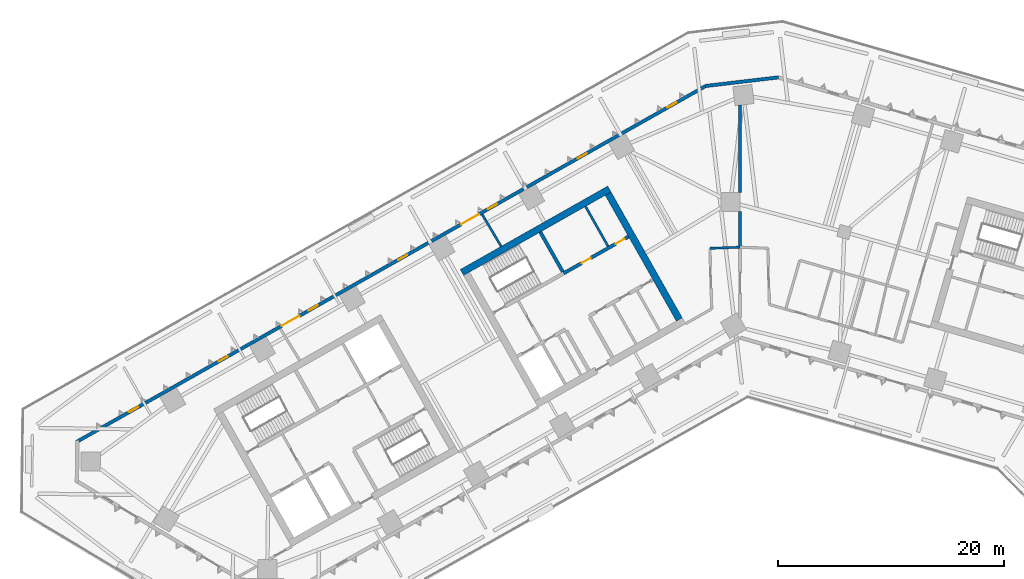
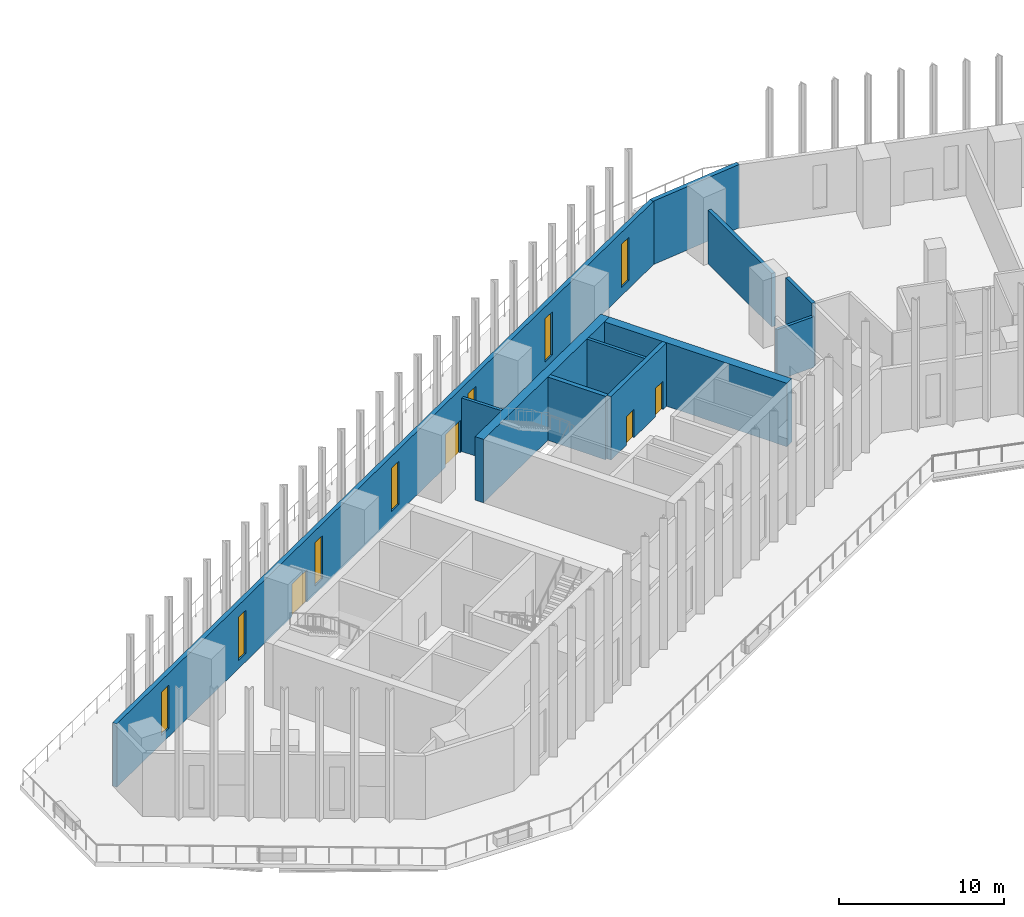
# One storey, part 7 of 17: 11 walls, 7 windows, 4 doors, 11 openings.
"""IFC4 building model written with IfcOpenShell, lengths in metres."""

from ifc_helpers import new_model, si_unit, direction, frame, frame_2d, origin, place, context, subcontext, project, spatial, rectangle, extrude, material, layer, layer_set, type_object, element, fill, save


model = new_model("IFC4")

# Units and contexts
model_context = context("Model", 3, precision=1e-05, world=origin(), true_north=direction((0.0, 1.0)))
body_context = subcontext(model_context, "Body", "Model", "MODEL_VIEW")
ifc_project = project(units=[si_unit("LENGTHUNIT", "METRE"), si_unit("AREAUNIT", "SQUARE_METRE"), si_unit("VOLUMEUNIT", "CUBIC_METRE"), si_unit("PLANEANGLEUNIT", "RADIAN"), si_unit("MASSUNIT", "GRAM", prefix="KILO")], contexts=[model_context])

# Site, building, storey
site_placement = place(None, origin())
site = spatial("IfcSite", under=ifc_project, at=site_placement, CompositionType="ELEMENT")
building_placement = place(site_placement, origin())
building = spatial("IfcBuilding", under=site, at=building_placement, Name="Binnacle Exchange Tower", CompositionType="ELEMENT")
storey_placement = place(building_placement, frame((0.0, 0.0, 26.5)))
storey = spatial("IfcBuildingStorey", under=building, at=storey_placement, Name="L05", CompositionType="ELEMENT", Elevation=26.5)

# Wall
ifc_material_1 = material(Name="Gypsum partition fire rated")
ifc_layer_1 = layer(ifc_material_1, 0.199951171875)
ifc_layer_set_1 = layer_set([ifc_layer_1], Name="Core partition 200")
wall_type_1 = type_object("IfcWallType", Name="Core partition 200", PredefinedType="PARTITIONING", material=ifc_layer_set_1)
wall_1_placement = place(storey_placement, frame((-13.682861328125, 59.612060546875, 0.0), z_axis=(0.0, 0.0, 1.0), x_axis=(0.49241474071, -0.870360685654, 0.0)))
element("IfcWall", 1, at=wall_1_placement, inside=storey, type_object=wall_type_1, Name="Core wall CRWC20", PredefinedType="PARTITIONING", context=body_context, shape_type="SweptSolid", body=[
    extrude(rectangle(XDim=4.05029296875, YDim=0.199951171875, at=frame_2d((2.025146484375, 0.0))), origin(), (0.0, 0.0, 1.0), 4.679931640625),
])

# Wall, openings, doors
ifc_material_2 = material(Name="Concrete C70/85", Category="concrete")
ifc_layer_2 = layer(ifc_material_2, 0.300048828125)
ifc_layer_set_2 = layer_set([ifc_layer_2], Name="Core wall - front 300")
wall_type_2 = type_object("IfcWallType", Name="Core wall - front 300", PredefinedType="SOLIDWALL", material=ifc_layer_set_2)
wall_2_placement = place(storey_placement, frame((-15.6181640625, 53.69140625, 0.0), z_axis=(0.0, 0.0, 1.0), x_axis=(0.870356769198, 0.492421663121, 0.0)))
wall_2 = element("IfcWall", 2, at=wall_2_placement, inside=storey, type_object=wall_type_2, Name="Core wall CRWC5", PredefinedType="SOLIDWALL", context=body_context, shape_type="SweptSolid", body=[
    extrude(rectangle(XDim=6.60009765625, YDim=0.300048828125, at=frame_2d((3.300048828125, 0.0))), origin(), (0.0, 0.0, 1.0), 4.679931640625),
])
opening_1_placement = place(wall_2_placement, frame((1.85009765625, 0.0, 0.0)))
opening_1 = element("IfcOpeningElement", 3, at=opening_1_placement, cuts=wall_2, Name="Opening DC10", PredefinedType="OPENING", context=body_context, shape_type="SweptSolid", body=[
    extrude(rectangle(XDim=0.89990234375, YDim=2.10009765625, at=frame_2d((0.449951171875, 1.050048828125))), frame((0.0, 0.159912109375, 0.0), z_axis=(0.0, -1.0, 0.0), x_axis=(1.0, 0.0, 0.0)), (0.0, 0.0, 1.0), 0.320068359375),
])
opening_2_placement = place(wall_2_placement, frame((5.300048828125, 0.0, 0.0)))
opening_2 = element("IfcOpeningElement", 4, at=opening_2_placement, cuts=wall_2, Name="Opening DC11", PredefinedType="OPENING", context=body_context, shape_type="SweptSolid", body=[
    extrude(rectangle(XDim=0.89990234375, YDim=2.10009765625, at=frame_2d((0.449951171875, 1.050048828125))), frame((0.0, 0.159912109375, 0.0), z_axis=(0.0, -1.0, 0.0), x_axis=(1.0, 0.0, 0.0)), (0.0, 0.0, 1.0), 0.320068359375),
])
ifc_material_3 = material(Name="Steel door leaf", Category="steel")
door_type_1 = type_object("IfcDoorType", Name="Fire door 900", OperationType="NOTDEFINED", PredefinedType="DOOR", material=ifc_material_3)
door_1_placement = place(opening_1_placement, origin())
door_1 = element("IfcDoor", 5, at=door_1_placement, inside=storey, type_object=door_type_1, Name="Core room door EQUIPMENT STORE", OperationType="SINGLE_SWING_LEFT", OverallHeight=2.10009765625, OverallWidth=0.89990234375, PredefinedType="DOOR", context=body_context, shape_type="SweptSolid", body=[
    extrude(rectangle(XDim=0.89990234375, YDim=2.10009765625, at=frame_2d((0.449951171875, 1.050048828125))), frame((0.0, 0.02490234375, 0.0), z_axis=(0.0, -1.0, 0.0), x_axis=(1.0, 0.0, 0.0)), (0.0, 0.0, 1.0), 0.050048828125),
])
fill(opening_1, door_1)
door_2_placement = place(opening_2_placement, origin())
door_2 = element("IfcDoor", 6, at=door_2_placement, inside=storey, type_object=door_type_1, Name="Core room door UPS CUPBOARD", OperationType="SINGLE_SWING_RIGHT", OverallHeight=2.10009765625, OverallWidth=0.89990234375, PredefinedType="DOOR", context=body_context, shape_type="SweptSolid", body=[
    extrude(rectangle(XDim=0.89990234375, YDim=2.10009765625, at=frame_2d((0.449951171875, 1.050048828125))), frame((0.0, 0.02490234375, 0.0), z_axis=(0.0, -1.0, 0.0), x_axis=(1.0, 0.0, 0.0)), (0.0, 0.0, 1.0), 0.050048828125),
])
fill(opening_2, door_2)

# Walls
ifc_layer_3 = layer(ifc_material_2, 0.60009765625)
ifc_layer_set_3 = layer_set([ifc_layer_3], Name="Core wall - outer 600")
wall_type_3 = type_object("IfcWallType", Name="Core wall - outer 600", PredefinedType="SOLIDWALL", material=ifc_layer_set_3)
wall_3_placement = place(storey_placement, frame((-24.622802734375, 53.76708984375, 0.0), z_axis=(0.0, 0.0, 1.0), x_axis=(0.870356627484, 0.492421913601, 0.0)))
element("IfcWall", 7, at=wall_3_placement, inside=storey, type_object=wall_type_3, Name="Core wall CRWC6", PredefinedType="SOLIDWALL", context=body_context, shape_type="SweptSolid", body=[
    extrude(rectangle(XDim=14.999755859375, YDim=0.60009765625, at=frame_2d((7.5, 0.0))), origin(), (0.0, 0.0, 1.0), 4.679931640625),
])
wall_4_placement = place(storey_placement, frame((-11.680908203125, 60.744384765625, 0.0), z_axis=(0.0, 0.0, 1.0), x_axis=(0.492426772896, -0.870353878221, 0.0)))
element("IfcWall", 8, at=wall_4_placement, inside=storey, type_object=wall_type_3, Name="Core wall CRWC24", PredefinedType="SOLIDWALL", context=body_context, shape_type="SweptSolid", body=[
    extrude(rectangle(XDim=12.7998046875, YDim=0.60009765625, at=frame_2d((6.39990234375, 0.0))), origin(), (0.0, 0.0, 1.0), 4.679931640625),
])
ifc_layer_4 = layer(ifc_material_2, 0.300048828125)
ifc_layer_set_4 = layer_set([ifc_layer_4], Name="Core wall - stair 300")
wall_type_4 = type_object("IfcWallType", Name="Core wall - stair 300", PredefinedType="SOLIDWALL", material=ifc_layer_set_4)
wall_5_placement = place(storey_placement, frame((-17.686279296875, 57.3466796875, 0.0), z_axis=(0.0, 0.0, 1.0), x_axis=(0.492420746998, -0.870357287513, 0.0)))
element("IfcWall", 9, at=wall_5_placement, inside=storey, type_object=wall_type_4, Name="Core wall CRWC14", PredefinedType="SOLIDWALL", context=body_context, shape_type="SweptSolid", body=[
    extrude(rectangle(XDim=4.049560546875, YDim=0.300048828125, at=frame_2d((2.02490234375, 0.0))), origin(), (0.0, 0.0, 1.0), 4.679931640625),
])
ifc_material_4 = material(Name="Bronze aluminium cladding", Category="aluminium")
ifc_layer_5 = layer(ifc_material_4, 0.300048828125)
ifc_layer_set_5 = layer_set([ifc_layer_5], Name="External wall - spandrel 300")
wall_type_5 = type_object("IfcWallType", Name="External wall - spandrel 300", PredefinedType="STANDARD", material=ifc_layer_set_5)
wall_6_placement = place(storey_placement, frame((-3.076171875, 70.27294921875, 0.0), z_axis=(0.0, 0.0, 1.0), x_axis=(0.993067743007, 0.117543429416, 0.0)))
element("IfcWall", 10, at=wall_6_placement, inside=storey, type_object=wall_type_5, Name="External wall EW-F02 L05", PredefinedType="STANDARD", context=body_context, shape_type="SweptSolid", body=[
    extrude(rectangle(XDim=6.515625, YDim=0.300048828125, at=frame_2d((3.2578125, 0.0))), origin(), (0.0, 0.0, 1.0), 4.679931640625),
])

# Wall, openings, doors, windows
wall_7_placement = place(storey_placement, frame((-58.744873046875, 38.763671875, 0.0), z_axis=(0.0, 0.0, 1.0), x_axis=(0.870355811726, 0.492423355453, 0.0)))
wall_7 = element("IfcWall", 11, at=wall_7_placement, inside=storey, type_object=wall_type_5, Name="External wall EW-F03 L05", PredefinedType="STANDARD", context=body_context, shape_type="SweptSolid", body=[
    extrude(rectangle(XDim=64.025390625, YDim=0.300048828125, at=frame_2d((32.0126953125, 0.0))), origin(), (0.0, 0.0, 1.0), 4.679931640625),
])
opening_3_placement = place(wall_7_placement, frame((60.12158203125, 0.0, 0.60009765625)))
opening_3 = element("IfcOpeningElement", 12, at=opening_3_placement, cuts=wall_7, Name="Opening WS1", PredefinedType="OPENING", context=body_context, shape_type="SweptSolid", body=[
    extrude(rectangle(XDim=0.89990234375, YDim=3.199951171875, at=frame_2d((0.449951171875, 1.60009765625))), frame((0.0, 0.159912109375, 0.0), z_axis=(0.0, -1.0, 0.0), x_axis=(1.0, 0.0, 0.0)), (0.0, 0.0, 1.0), 0.320068359375),
])
opening_4_placement = place(wall_7_placement, frame((50.99169921875, 0.0, 0.60009765625)))
opening_4 = element("IfcOpeningElement", 13, at=opening_4_placement, cuts=wall_7, Name="Opening WS1", PredefinedType="OPENING", context=body_context, shape_type="SweptSolid", body=[
    extrude(rectangle(XDim=0.89990234375, YDim=3.199951171875, at=frame_2d((0.449951171875, 1.60009765625))), frame((0.0, 0.159912109375, 0.0), z_axis=(0.0, -1.0, 0.0), x_axis=(1.0, 0.0, 0.0)), (0.0, 0.0, 1.0), 0.320068359375),
])
opening_5_placement = place(wall_7_placement, frame((41.86181640625, 0.0, 0.60009765625)))
opening_5 = element("IfcOpeningElement", 14, at=opening_5_placement, cuts=wall_7, Name="Opening WS1", PredefinedType="OPENING", context=body_context, shape_type="SweptSolid", body=[
    extrude(rectangle(XDim=0.89990234375, YDim=3.199951171875, at=frame_2d((0.449951171875, 1.60009765625))), frame((0.0, 0.159912109375, 0.0), z_axis=(0.0, -1.0, 0.0), x_axis=(1.0, 0.0, 0.0)), (0.0, 0.0, 1.0), 0.320068359375),
])
opening_6_placement = place(wall_7_placement, frame((39.12939453125, 0.0, 0.0)))
opening_6 = element("IfcOpeningElement", 15, at=opening_6_placement, cuts=wall_7, Name="Opening D-FS05-03", PredefinedType="OPENING", context=body_context, shape_type="SweptSolid", body=[
    extrude(rectangle(XDim=1.800048828125, YDim=2.39990234375, at=frame_2d((0.89990234375, 1.199951171875))), frame((0.0, 0.159912109375, 0.0), z_axis=(0.0, -1.0, 0.0), x_axis=(1.0, 0.0, 0.0)), (0.0, 0.0, 1.0), 0.320068359375),
])
opening_7_placement = place(wall_7_placement, frame((32.73193359375, 0.0, 0.60009765625)))
opening_7 = element("IfcOpeningElement", 16, at=opening_7_placement, cuts=wall_7, Name="Opening WS1", PredefinedType="OPENING", context=body_context, shape_type="SweptSolid", body=[
    extrude(rectangle(XDim=0.89990234375, YDim=3.199951171875, at=frame_2d((0.449951171875, 1.60009765625))), frame((0.0, 0.159912109375, 0.0), z_axis=(0.0, -1.0, 0.0), x_axis=(1.0, 0.0, 0.0)), (0.0, 0.0, 1.0), 0.320068359375),
])
opening_8_placement = place(wall_7_placement, frame((23.60205078125, 0.0, 0.60009765625)))
opening_8 = element("IfcOpeningElement", 17, at=opening_8_placement, cuts=wall_7, Name="Opening WS1", PredefinedType="OPENING", context=body_context, shape_type="SweptSolid", body=[
    extrude(rectangle(XDim=0.89990234375, YDim=3.199951171875, at=frame_2d((0.449951171875, 1.60009765625))), frame((0.0, 0.159912109375, 0.0), z_axis=(0.0, -1.0, 0.0), x_axis=(1.0, 0.0, 0.0)), (0.0, 0.0, 1.0), 0.320068359375),
])
opening_9_placement = place(wall_7_placement, frame((20.86962890625, 0.0, 0.0)))
opening_9 = element("IfcOpeningElement", 18, at=opening_9_placement, cuts=wall_7, Name="Opening D-FS05-04", PredefinedType="OPENING", context=body_context, shape_type="SweptSolid", body=[
    extrude(rectangle(XDim=1.800048828125, YDim=2.39990234375, at=frame_2d((0.89990234375, 1.199951171875))), frame((0.0, 0.159912109375, 0.0), z_axis=(0.0, -1.0, 0.0), x_axis=(1.0, 0.0, 0.0)), (0.0, 0.0, 1.0), 0.320068359375),
])
opening_10_placement = place(wall_7_placement, frame((14.47216796875, 0.0, 0.60009765625)))
opening_10 = element("IfcOpeningElement", 19, at=opening_10_placement, cuts=wall_7, Name="Opening WS1", PredefinedType="OPENING", context=body_context, shape_type="SweptSolid", body=[
    extrude(rectangle(XDim=0.89990234375, YDim=3.199951171875, at=frame_2d((0.449951171875, 1.60009765625))), frame((0.0, 0.159912109375, 0.0), z_axis=(0.0, -1.0, 0.0), x_axis=(1.0, 0.0, 0.0)), (0.0, 0.0, 1.0), 0.320068359375),
])
opening_11_placement = place(wall_7_placement, frame((5.34228515625, 0.0, 0.60009765625)))
opening_11 = element("IfcOpeningElement", 20, at=opening_11_placement, cuts=wall_7, Name="Opening WS1", PredefinedType="OPENING", context=body_context, shape_type="SweptSolid", body=[
    extrude(rectangle(XDim=0.89990234375, YDim=3.199951171875, at=frame_2d((0.449951171875, 1.60009765625))), frame((0.0, 0.159912109375, 0.0), z_axis=(0.0, -1.0, 0.0), x_axis=(1.0, 0.0, 0.0)), (0.0, 0.0, 1.0), 0.320068359375),
])
ifc_material_5 = material(Name="Bronze anodised aluminium frame", Category="aluminium")
door_type_2 = type_object("IfcDoorType", Name="DT DOOR 1800x2400", OperationType="DOUBLE_DOOR_SINGLE_SWING", PredefinedType="DOOR", material=ifc_material_5)
door_3_placement = place(opening_6_placement, origin())
door_3 = element("IfcDoor", 21, at=door_3_placement, inside=storey, type_object=door_type_2, Name="Door D-FS05-03 L05", OperationType="DOUBLE_DOOR_SINGLE_SWING", OverallHeight=2.39990234375, OverallWidth=1.800048828125, PredefinedType="DOOR", context=body_context, shape_type="SweptSolid", body=[
    extrude(rectangle(XDim=1.800048828125, YDim=2.39990234375, at=frame_2d((0.89990234375, 1.199951171875))), frame((0.0, 0.02490234375, 0.0), z_axis=(0.0, -1.0, 0.0), x_axis=(1.0, 0.0, 0.0)), (0.0, 0.0, 1.0), 0.050048828125),
])
fill(opening_6, door_3)
door_4_placement = place(opening_9_placement, origin())
door_4 = element("IfcDoor", 22, at=door_4_placement, inside=storey, type_object=door_type_2, Name="Door D-FS05-04 L05", OperationType="DOUBLE_DOOR_SINGLE_SWING", OverallHeight=2.39990234375, OverallWidth=1.800048828125, PredefinedType="DOOR", context=body_context, shape_type="SweptSolid", body=[
    extrude(rectangle(XDim=1.800048828125, YDim=2.39990234375, at=frame_2d((0.89990234375, 1.199951171875))), frame((0.0, 0.02490234375, 0.0), z_axis=(0.0, -1.0, 0.0), x_axis=(1.0, 0.0, 0.0)), (0.0, 0.0, 1.0), 0.050048828125),
])
fill(opening_9, door_4)
window_type = type_object("IfcWindowType", Name="WS1 WINDOW 900x3200", PartitioningType="SINGLE_PANEL", PredefinedType="WINDOW", material=ifc_material_5)
window_1_placement = place(opening_3_placement, origin())
window_1 = element("IfcWindow", 23, at=window_1_placement, inside=storey, type_object=window_type, Name="Window WS1 L05", OverallHeight=3.199951171875, OverallWidth=0.89990234375, PartitioningType="SINGLE_PANEL", PredefinedType="WINDOW", context=body_context, shape_type="SweptSolid", body=[
    extrude(rectangle(XDim=0.89990234375, YDim=3.199951171875, at=frame_2d((0.449951171875, 1.60009765625))), frame((0.0, 0.030029296875, 0.0), z_axis=(0.0, -1.0, 0.0), x_axis=(1.0, 0.0, 0.0)), (0.0, 0.0, 1.0), 0.06005859375),
])
fill(opening_3, window_1)
window_2_placement = place(opening_4_placement, origin())
window_2 = element("IfcWindow", 24, at=window_2_placement, inside=storey, type_object=window_type, Name="Window WS1 L05", OverallHeight=3.199951171875, OverallWidth=0.89990234375, PartitioningType="SINGLE_PANEL", PredefinedType="WINDOW", context=body_context, shape_type="SweptSolid", body=[
    extrude(rectangle(XDim=0.89990234375, YDim=3.199951171875, at=frame_2d((0.449951171875, 1.60009765625))), frame((0.0, 0.030029296875, 0.0), z_axis=(0.0, -1.0, 0.0), x_axis=(1.0, 0.0, 0.0)), (0.0, 0.0, 1.0), 0.06005859375),
])
fill(opening_4, window_2)
window_3_placement = place(opening_5_placement, origin())
window_3 = element("IfcWindow", 25, at=window_3_placement, inside=storey, type_object=window_type, Name="Window WS1 L05", OverallHeight=3.199951171875, OverallWidth=0.89990234375, PartitioningType="SINGLE_PANEL", PredefinedType="WINDOW", context=body_context, shape_type="SweptSolid", body=[
    extrude(rectangle(XDim=0.89990234375, YDim=3.199951171875, at=frame_2d((0.449951171875, 1.60009765625))), frame((0.0, 0.030029296875, 0.0), z_axis=(0.0, -1.0, 0.0), x_axis=(1.0, 0.0, 0.0)), (0.0, 0.0, 1.0), 0.06005859375),
])
fill(opening_5, window_3)
window_4_placement = place(opening_7_placement, origin())
window_4 = element("IfcWindow", 26, at=window_4_placement, inside=storey, type_object=window_type, Name="Window WS1 L05", OverallHeight=3.199951171875, OverallWidth=0.89990234375, PartitioningType="SINGLE_PANEL", PredefinedType="WINDOW", context=body_context, shape_type="SweptSolid", body=[
    extrude(rectangle(XDim=0.89990234375, YDim=3.199951171875, at=frame_2d((0.449951171875, 1.60009765625))), frame((0.0, 0.030029296875, 0.0), z_axis=(0.0, -1.0, 0.0), x_axis=(1.0, 0.0, 0.0)), (0.0, 0.0, 1.0), 0.06005859375),
])
fill(opening_7, window_4)
window_5_placement = place(opening_8_placement, origin())
window_5 = element("IfcWindow", 27, at=window_5_placement, inside=storey, type_object=window_type, Name="Window WS1 L05", OverallHeight=3.199951171875, OverallWidth=0.89990234375, PartitioningType="SINGLE_PANEL", PredefinedType="WINDOW", context=body_context, shape_type="SweptSolid", body=[
    extrude(rectangle(XDim=0.89990234375, YDim=3.199951171875, at=frame_2d((0.449951171875, 1.60009765625))), frame((0.0, 0.030029296875, 0.0), z_axis=(0.0, -1.0, 0.0), x_axis=(1.0, 0.0, 0.0)), (0.0, 0.0, 1.0), 0.06005859375),
])
fill(opening_8, window_5)
window_6_placement = place(opening_10_placement, origin())
window_6 = element("IfcWindow", 28, at=window_6_placement, inside=storey, type_object=window_type, Name="Window WS1 L05", OverallHeight=3.199951171875, OverallWidth=0.89990234375, PartitioningType="SINGLE_PANEL", PredefinedType="WINDOW", context=body_context, shape_type="SweptSolid", body=[
    extrude(rectangle(XDim=0.89990234375, YDim=3.199951171875, at=frame_2d((0.449951171875, 1.60009765625))), frame((0.0, 0.030029296875, 0.0), z_axis=(0.0, -1.0, 0.0), x_axis=(1.0, 0.0, 0.0)), (0.0, 0.0, 1.0), 0.06005859375),
])
fill(opening_10, window_6)
window_7_placement = place(opening_11_placement, origin())
window_7 = element("IfcWindow", 29, at=window_7_placement, inside=storey, type_object=window_type, Name="Window WS1 L05", OverallHeight=3.199951171875, OverallWidth=0.89990234375, PartitioningType="SINGLE_PANEL", PredefinedType="WINDOW", context=body_context, shape_type="SweptSolid", body=[
    extrude(rectangle(XDim=0.89990234375, YDim=3.199951171875, at=frame_2d((0.449951171875, 1.60009765625))), frame((0.0, 0.030029296875, 0.0), z_axis=(0.0, -1.0, 0.0), x_axis=(1.0, 0.0, 0.0)), (0.0, 0.0, 1.0), 0.06005859375),
])
fill(opening_11, window_7)

# Walls
ifc_material_6 = material(Name="Masonry block wall", Category="masonry")
ifc_layer_6 = layer(ifc_material_6, 0.199951171875)
ifc_layer_set_6 = layer_set([ifc_layer_6], Name="Fire wall - block 200")
wall_type_6 = type_object("IfcWallType", Name="Fire wall - block 200", PredefinedType="PARTITIONING", material=ifc_layer_set_6)
wall_8_placement = place(storey_placement, frame((-22.8349609375, 58.907958984375, 0.0), z_axis=(0.0, 0.0, 1.0), x_axis=(0.511113859879, -0.859513014584, 0.0)))
element("IfcWall", 30, at=wall_8_placement, inside=storey, type_object=wall_type_6, Name="Partition W05", PredefinedType="PARTITIONING", context=body_context, shape_type="SweptSolid", body=[
    extrude(rectangle(XDim=3.294921875, YDim=0.199951171875, at=frame_2d((1.6474609375, 0.0))), origin(), (0.0, 0.0, 1.0), 3.9599609375),
])
wall_9_placement = place(storey_placement, frame((-2.669921875, 55.904052734375, 0.0), z_axis=(0.0, 0.0, 1.0), x_axis=(0.999354913865, 0.03591317494, 0.0)))
element("IfcWall", 31, at=wall_9_placement, inside=storey, type_object=wall_type_6, Name="Partition W08", PredefinedType="PARTITIONING", context=body_context, shape_type="SweptSolid", body=[
    extrude(rectangle(XDim=2.671630859375, YDim=0.199951171875, at=frame_2d((1.3359375, 0.0))), origin(), (0.0, 0.0, 1.0), 3.741943359375),
])
ifc_material_7 = material(Name="Concrete fire wall C30/37", Category="concrete")
ifc_layer_7 = layer(ifc_material_7, 0.25)
ifc_layer_set_7 = layer_set([ifc_layer_7], Name="Fire wall - compartment 250")
wall_type_7 = type_object("IfcWallType", Name="Fire wall - compartment 250", PredefinedType="PARTITIONING", material=ifc_layer_set_7)
wall_10_placement = place(storey_placement, frame((0.0, 56.0, 0.0), z_axis=(0.0, 0.0, 1.0), x_axis=(0.0, 1.0, 0.0)))
element("IfcWall", 32, at=wall_10_placement, inside=storey, type_object=wall_type_7, Name="Fire Wall W10", PredefinedType="PARTITIONING", context=body_context, shape_type="SweptSolid", body=[
    extrude(rectangle(XDim=3.14990234375, YDim=0.25, at=frame_2d((1.574951171875, 0.0))), origin(), (0.0, 0.0, 1.0), 4.679931640625),
])
wall_11_placement = place(storey_placement, frame((0.0, 60.85009765625, 0.0), z_axis=(0.0, 0.0, 1.0), x_axis=(0.0, 1.0, 0.0)))
element("IfcWall", 33, at=wall_11_placement, inside=storey, type_object=wall_type_7, Name="Fire Wall W12", PredefinedType="PARTITIONING", context=body_context, shape_type="SweptSolid", body=[
    extrude(rectangle(XDim=7.722900390625, YDim=0.25, at=frame_2d((3.861328125, 0.0))), origin(), (0.0, 0.0, 1.0), 3.951904296875),
])

save(model, "model.ifc")
